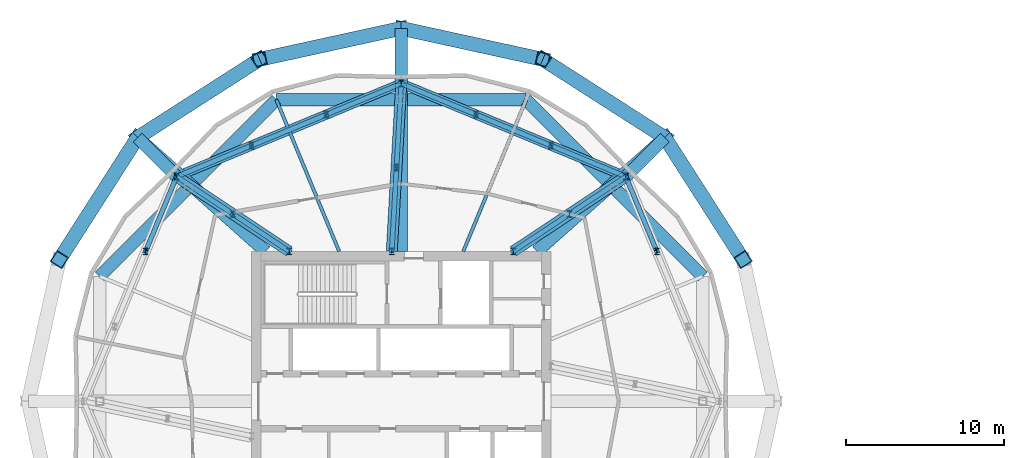
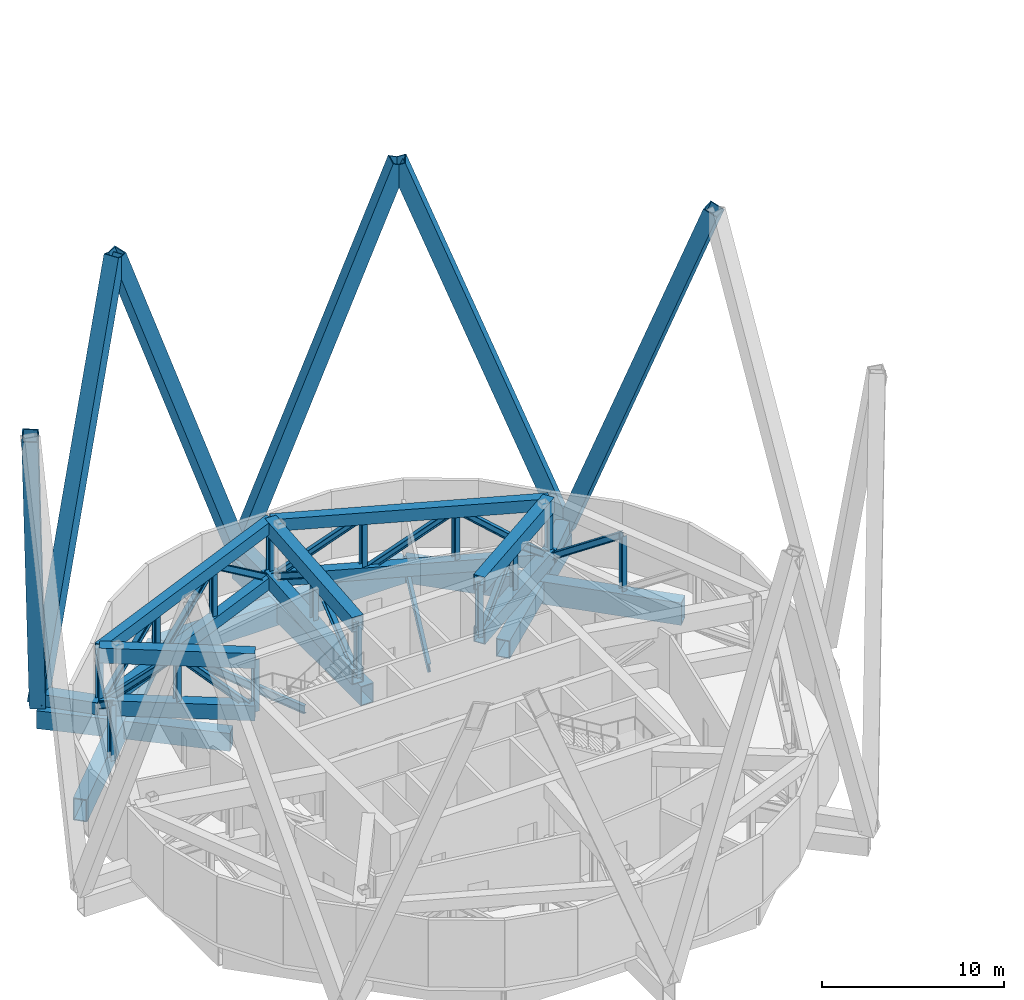
# One storey, part 6 of 19: 45 members, 11 beams.
"""IFC4 building model written with IfcOpenShell, lengths in metres."""

from ifc_helpers import new_model, si_unit, direction, frame, origin, origin_2d, place, context, subcontext, project, spatial, hollow_rectangle, i_section, extrude, material, material_profile, profile_set, type_object, element, save


model = new_model("IFC4")

# Units and contexts
model_context = context("Model", 3, precision=1e-05, world=origin(), true_north=direction((0.0, 1.0)))
body_context = subcontext(model_context, "Body", "Model", "MODEL_VIEW")
ifc_project = project(units=[si_unit("LENGTHUNIT", "METRE"), si_unit("AREAUNIT", "SQUARE_METRE"), si_unit("VOLUMEUNIT", "CUBIC_METRE"), si_unit("PLANEANGLEUNIT", "RADIAN"), si_unit("MASSUNIT", "GRAM", prefix="KILO")], contexts=[model_context])

# Site, building, storey
site_placement = place(None, origin())
site = spatial("IfcSite", under=ifc_project, at=site_placement, CompositionType="ELEMENT")
building_placement = place(site_placement, origin())
building = spatial("IfcBuilding", under=site, at=building_placement, Name="Ogive Gate Towers", CompositionType="ELEMENT")
storey_placement = place(building_placement, frame((0.0, 0.0, 216.300048828125)))
storey = spatial("IfcBuildingStorey", under=building, at=storey_placement, Name="L52", CompositionType="ELEMENT", Elevation=216.300048828125)

# Members
ifc_material_1 = material(Name="Steel SM460", Category="steel")
ifc_material_profile_1 = material_profile(ifc_material_1, hollow_rectangle(XDim=0.89990234375, YDim=0.89990234375, WallThickness=0.06005859375, at=origin_2d()), Name="BX 900x900x60")
ifc_profile_set_1 = profile_set([ifc_material_profile_1], Name="Steel SM460")
member_type_1 = type_object("IfcMemberType", Name="Diagrid diagonal BX 900x900x60", PredefinedType="BRACE", material=ifc_profile_set_1)
for number, where, z_axis, x_axis, name in (
    (1, (-19.283935546875, 16.716064453125, 0.0), (0.190849196279, -0.297855932112, 0.935338670207), (0.841987125326, 0.539497618887, 0.0), "T1/L52/SDG003"),
    (2, (-19.283935546875, 16.716064453125, 0.0), (-0.297855932112, 0.190849196279, 0.935338670207), (-0.539497618887, -0.841987125326, 0.0), "T1/L52/SDG004"),
    (3, (-36.0, 23.639892578125, 0.0), (0.345566183474, -0.075657502601, 0.935339486571), (0.21387195941, 0.976861702074, 0.0), "T1/L52/SDG005"),
    (4, (-36.0, 23.639892578125, 0.0), (-0.345566183474, -0.075657502601, 0.935339486571), (0.21387195941, -0.976861702074, 0.0), "T1/L52/SDG006"),
    (5, (-52.716064453125, 16.716064453125, 0.0), (0.297855932112, 0.190849196279, 0.935338670207), (-0.539497618887, 0.841987125326, 0.0), "T1/L52/SDG007"),
    (6, (-52.716064453125, 16.716064453125, 0.0), (-0.190849196279, -0.297855932112, 0.935338670207), (0.841987125326, -0.539497618887, 0.0), "T1/L52/SDG008"),
):
    element("IfcMember", number, at=place(storey_placement, frame(where, z_axis=z_axis, x_axis=x_axis)), inside=storey, type_object=member_type_1, Name=name, PredefinedType="BRACE", context=body_context, shape_type="SweptSolid", body=[
        extrude(hollow_rectangle(XDim=0.89990234375, YDim=0.89990234375, WallThickness=0.06005859375, at=origin_2d()), origin(), (0.0, 0.0, 1.0), 25.97998046875),
    ])

# Beams
ifc_material_profile_2 = material_profile(ifc_material_1, hollow_rectangle(XDim=0.800048828125, YDim=1.5, WallThickness=0.06005859375, at=origin_2d()), Name="BX 1500x800x60")
ifc_profile_set_2 = profile_set([ifc_material_profile_2], Name="Steel SM460")
beam_type_1 = type_object("IfcBeamType", Name="Edge girder BX 1500x800x60", PredefinedType="BEAM", material=ifc_profile_set_2)
beam_1_placement = place(storey_placement, frame((-16.885009765625, 7.917724609375, -1.050048828125), z_axis=(-0.707106781187, 0.707106781187, 0.0), x_axis=(-0.707106781187, -0.707106781187, 0.0)))
element("IfcBeam", 7, at=beam_1_placement, inside=storey, type_object=beam_type_1, Name="T1/L52/SBM021", PredefinedType="BEAM", context=body_context, shape_type="SweptSolid", body=[
    extrude(hollow_rectangle(XDim=0.800048828125, YDim=1.5, WallThickness=0.06005859375, at=origin_2d()), origin(), (0.0, 0.0, 1.0), 15.835205078125),
])
beam_2_placement = place(storey_placement, frame((-28.082275390625, 19.114990234375, -1.050048828125), z_axis=(-1.0, 0.0, 0.0), x_axis=(0.0, -1.0, 0.0)))
element("IfcBeam", 8, at=beam_2_placement, inside=storey, type_object=beam_type_1, Name="T1/L52/SBM022", PredefinedType="BEAM", context=body_context, shape_type="SweptSolid", body=[
    extrude(hollow_rectangle(XDim=0.800048828125, YDim=1.5, WallThickness=0.06005859375, at=origin_2d()), origin(), (0.0, 0.0, 1.0), 15.83544921875),
])
beam_3_placement = place(storey_placement, frame((-43.917724609375, 19.114990234375, -1.050048828125), z_axis=(-0.707106781187, -0.707106781187, 0.0), x_axis=(0.707106781187, -0.707106781187, 0.0)))
element("IfcBeam", 9, at=beam_3_placement, inside=storey, type_object=beam_type_1, Name="T1/L52/SBM023", PredefinedType="BEAM", context=body_context, shape_type="SweptSolid", body=[
    extrude(hollow_rectangle(XDim=0.800048828125, YDim=1.5, WallThickness=0.06005859375, at=origin_2d()), origin(), (0.0, 0.0, 1.0), 15.835205078125),
])
ifc_material_profile_3 = material_profile(ifc_material_1, hollow_rectangle(XDim=0.800048828125, YDim=0.800048828125, WallThickness=0.050048828125, at=origin_2d()), Name="BX 800x800x50")
ifc_profile_set_3 = profile_set([ifc_material_profile_3], Name="Steel SM460")
beam_type_2 = type_object("IfcBeamType", Name="Node arm BX 800x800x50", PredefinedType="BEAM", material=ifc_profile_set_3)
for number, where, z_axis, x_axis, name in (
    (10, (-21.7587890625, 14.2412109375, 0.449951171875), (0.707106781187, 0.707106781187, 0.0), (-0.707106781187, 0.707106781187, 0.0), "T1/L52/SBM026"),
    (11, (-36.0, 20.139892578125, 0.449951171875), (0.0, 1.0, 0.0), (-1.0, 0.0, 0.0), "T1/L52/SBM027"),
    (12, (-50.2412109375, 14.2412109375, 0.449951171875), (-0.707106781187, 0.707106781187, 0.0), (-0.707106781187, -0.707106781187, 0.0), "T1/L52/SBM028"),
):
    element("IfcBeam", number, at=place(storey_placement, frame(where, z_axis=z_axis, x_axis=x_axis)), inside=storey, type_object=beam_type_2, Name=name, PredefinedType="BEAM", context=body_context, shape_type="SweptSolid", body=[
        extrude(hollow_rectangle(XDim=0.800048828125, YDim=0.800048828125, WallThickness=0.050048828125, at=origin_2d()), origin(), (0.0, 0.0, 1.0), 3.5),
    ])
ifc_material_2 = material(Name="Steel SM355", Category="steel")
ifc_material_profile_4 = material_profile(ifc_material_2, i_section(OverallWidth=0.2099609375, OverallDepth=0.550048828125, WebThickness=0.010986328125, FlangeThickness=0.01708984375, FilletRadius=0.02392578125, at=origin_2d()), Name="IPE 550")
ifc_profile_set_4 = profile_set([ifc_material_profile_4], Name="Steel SM355")
beam_type_3 = type_object("IfcBeamType", Name="Radial floor beam IPE 550", PredefinedType="BEAM", material=ifc_profile_set_4)
for number, where, z_axis, x_axis, name in (
    (13, (-32.06494140625, 9.5, -0.574951171875), (0.382683978464, 0.92387930631, 0.0), (-0.92387930631, 0.382683978464, 0.0), "T1/L52/SBM011"),
    (14, (-39.93505859375, 9.5, -0.574951171875), (-0.382683978464, 0.92387930631, 0.0), (-0.92387930631, -0.382683978464, 0.0), "T1/L52/SBM013"),
):
    element("IfcBeam", number, at=place(storey_placement, frame(where, z_axis=z_axis, x_axis=x_axis)), inside=storey, type_object=beam_type_3, Name=name, PredefinedType="BEAM", context=body_context, shape_type="SweptSolid", body=[
        extrude(i_section(OverallWidth=0.2099609375, OverallDepth=0.550048828125, WebThickness=0.010986328125, FlangeThickness=0.01708984375, FilletRadius=0.02392578125, at=origin_2d()), origin(), (0.0, 0.0, 1.0), 10.4072265625),
    ])
ifc_material_profile_5 = material_profile(ifc_material_1, hollow_rectangle(XDim=0.800048828125, YDim=1.199951171875, WallThickness=0.050048828125, at=origin_2d()), Name="BX 1200x800x50")
ifc_profile_set_5 = profile_set([ifc_material_profile_5], Name="Steel SM460")
beam_type_4 = type_object("IfcBeamType", Name="Transfer radial beam BX 1200x800x50", PredefinedType="BEAM", material=ifc_profile_set_5)
for number, where, z_axis, x_axis, name in (
    (15, (-27.39990234375, 9.5, -0.900146484375), (0.747323731033, 0.664460112449, 0.0), (-0.664460112449, 0.747323731033, 0.0), "T1/L52/SBM010"),
    (16, (-44.60009765625, 9.5, -0.900146484375), (-0.747323731033, 0.664460112449, 0.0), (-0.664460112449, -0.747323731033, 0.0), "T1/L52/SBM014"),
):
    element("IfcBeam", number, at=place(storey_placement, frame(where, z_axis=z_axis, x_axis=x_axis)), inside=storey, type_object=beam_type_4, Name=name, PredefinedType="BEAM", context=body_context, shape_type="SweptSolid", body=[
        extrude(hollow_rectangle(XDim=0.800048828125, YDim=1.199951171875, WallThickness=0.050048828125, at=origin_2d()), origin(), (0.0, 0.0, 1.0), 10.860107421875),
    ])
ifc_material_profile_6 = material_profile(ifc_material_1, hollow_rectangle(XDim=0.800048828125, YDim=1.300048828125, WallThickness=0.050048828125, at=origin_2d()), Name="BX 1300x800x50")
ifc_profile_set_6 = profile_set([ifc_material_profile_6], Name="Steel SM460")
beam_type_5 = type_object("IfcBeamType", Name="Transfer radial beam BX 1300x800x50", PredefinedType="BEAM", material=ifc_profile_set_6)
beam_4_placement = place(storey_placement, frame((-36.0, 9.5, -0.949951171875), z_axis=(0.0, 1.0, 0.0), x_axis=(-1.0, 0.0, 0.0)))
element("IfcBeam", 17, at=beam_4_placement, inside=storey, type_object=beam_type_5, Name="T1/L52/SBM012", PredefinedType="BEAM", context=body_context, shape_type="SweptSolid", body=[
    extrude(hollow_rectangle(XDim=0.800048828125, YDim=1.300048828125, WallThickness=0.050048828125, at=origin_2d()), origin(), (0.0, 0.0, 1.0), 14.139892578125),
])

# Members
ifc_material_profile_7 = material_profile(ifc_material_1, hollow_rectangle(XDim=0.699951171875, YDim=1.0, WallThickness=0.050048828125, at=origin_2d()), Name="BX 1000x700x50")
ifc_profile_set_7 = profile_set([ifc_material_profile_7], Name="Steel SM460")
member_type_2 = type_object("IfcMemberType", Name="Truss chord BX 1000x700x50", PredefinedType="CHORD", material=ifc_profile_set_7)
for number, where, z_axis, x_axis, name in (
    (18, (-28.89990234375, 9.5, 0.5), (0.833100444522, 0.55312173103, 0.0), (-0.55312173103, 0.833100444522, 0.0), "T1/L52/STR024"),
    (19, (-28.89990234375, 9.5, 4.0), (0.833100444522, 0.55312173103, 0.0), (-0.55312173103, 0.833100444522, 0.0), "T1/L52/STR025"),
):
    element("IfcMember", number, at=place(storey_placement, frame(where, z_axis=z_axis, x_axis=x_axis)), inside=storey, type_object=member_type_2, Name=name, PredefinedType="CHORD", context=body_context, shape_type="SweptSolid", body=[
        extrude(hollow_rectangle(XDim=0.699951171875, YDim=1.0, WallThickness=0.050048828125, at=origin_2d()), origin(), (0.0, 0.0, 1.0), 8.57177734375),
    ])
for number, where, z_axis, x_axis, name in (
    (20, (-36.60009765625, 9.5, 0.5), (0.056311232009, 0.998413263709, 0.0), (-0.998413263709, 0.056311232009, 0.0), "T1/L52/STR038"),
    (21, (-36.60009765625, 9.5, 4.0), (0.056311232009, 0.998413263709, 0.0), (-0.998413263709, 0.056311232009, 0.0), "T1/L52/STR039"),
):
    element("IfcMember", number, at=place(storey_placement, frame(where, z_axis=z_axis, x_axis=x_axis)), inside=storey, type_object=member_type_2, Name=name, PredefinedType="CHORD", context=body_context, shape_type="SweptSolid", body=[
        extrude(hollow_rectangle(XDim=0.699951171875, YDim=1.0, WallThickness=0.050048828125, at=origin_2d()), origin(), (0.0, 0.0, 1.0), 10.65673828125),
    ])
for number, where, z_axis, x_axis, name in (
    (22, (-43.10009765625, 9.5, 0.5), (-0.833100444522, 0.55312173103, 0.0), (-0.55312173103, -0.833100444522, 0.0), "T1/L52/STR052"),
    (23, (-43.10009765625, 9.5, 4.0), (-0.833100444522, 0.55312173103, 0.0), (-0.55312173103, -0.833100444522, 0.0), "T1/L52/STR053"),
):
    element("IfcMember", number, at=place(storey_placement, frame(where, z_axis=z_axis, x_axis=x_axis)), inside=storey, type_object=member_type_2, Name=name, PredefinedType="CHORD", context=body_context, shape_type="SweptSolid", body=[
        extrude(hollow_rectangle(XDim=0.699951171875, YDim=1.0, WallThickness=0.050048828125, at=origin_2d()), origin(), (0.0, 0.0, 1.0), 8.57177734375),
    ])
ifc_material_profile_8 = material_profile(ifc_material_1, hollow_rectangle(XDim=0.60009765625, YDim=0.800048828125, WallThickness=0.0400390625, at=origin_2d()), Name="BX 800x600x40")
ifc_profile_set_8 = profile_set([ifc_material_profile_8], Name="Steel SM460")
member_type_3 = type_object("IfcMemberType", Name="Truss chord BX 800x600x40", PredefinedType="CHORD", material=ifc_profile_set_8)
for number, where, z_axis, x_axis, name in (
    (24, (-21.7587890625, 14.2412109375, 0.39990234375), (-0.923884603085, 0.382671190687, 0.0), (-0.382671190687, -0.923884603085, 0.0), "T1/L52/STR016"),
    (25, (-21.7587890625, 14.2412109375, 4.099853515625), (-0.923884603085, 0.382671190687, 0.0), (-0.382671190687, -0.923884603085, 0.0), "T1/L52/STR017"),
    (26, (-36.0, 20.139892578125, 0.39990234375), (-0.923884603085, -0.382671190687, 0.0), (0.382671190687, -0.923884603085, 0.0), "T1/L52/STR030"),
    (27, (-36.0, 20.139892578125, 4.099853515625), (-0.923884603085, -0.382671190687, 0.0), (0.382671190687, -0.923884603085, 0.0), "T1/L52/STR031"),
):
    element("IfcMember", number, at=place(storey_placement, frame(where, z_axis=z_axis, x_axis=x_axis)), inside=storey, type_object=member_type_3, Name=name, PredefinedType="CHORD", context=body_context, shape_type="SweptSolid", body=[
        extrude(hollow_rectangle(XDim=0.60009765625, YDim=0.800048828125, WallThickness=0.0400390625, at=origin_2d()), origin(), (0.0, 0.0, 1.0), 15.41455078125),
    ])
ifc_material_profile_9 = material_profile(ifc_material_1, i_section(OverallWidth=0.300048828125, OverallDepth=0.39990234375, WebThickness=0.013427734375, FlangeThickness=0.02392578125, FilletRadius=0.027099609375, at=origin_2d()), Name="HE 400 B")
ifc_profile_set_9 = profile_set([ifc_material_profile_9], Name="Steel SM460")
member_type_4 = type_object("IfcMemberType", Name="Truss diagonal HE 400 B", PredefinedType="BRACE", material=ifc_profile_set_9)
for number, where, z_axis, x_axis, name in (
    (28, (-19.79248046875, 9.494140625, 4.099853515625), (-0.310548860821, 0.74972833993, -0.58435162475), (-0.923879003455, -0.382684709619, 0.0), "T1/L52/STR005"),
    (29, (-21.7587890625, 14.2412109375, 0.39990234375), (-0.74972833993, 0.310548860821, 0.58435162475), (-0.382684709619, -0.923879003455, 0.0), "T1/L52/STR018"),
    (30, (-26.505859375, 16.20751953125, 4.099853515625), (-0.74972833993, 0.310548860821, -0.58435162475), (-0.382684709619, -0.923879003455, 0.0), "T1/L52/STR019"),
):
    element("IfcMember", number, at=place(storey_placement, frame(where, z_axis=z_axis, x_axis=x_axis)), inside=storey, type_object=member_type_4, Name=name, PredefinedType="BRACE", context=body_context, shape_type="SweptSolid", body=[
        extrude(i_section(OverallWidth=0.300048828125, OverallDepth=0.39990234375, WebThickness=0.013427734375, FlangeThickness=0.02392578125, FilletRadius=0.027099609375, at=origin_2d()), origin(), (0.0, 0.0, 1.0), 6.331787109375),
    ])
member_1_placement = place(storey_placement, frame((-31.2529296875, 18.173828125, 4.099853515625), z_axis=(-0.749737316967, 0.310514020445, -0.584358621613), x_axis=(-0.382644152086, -0.923895801957, 0.0)))
element("IfcMember", 31, at=member_1_placement, inside=storey, type_object=member_type_4, Name="T1/L52/STR020", PredefinedType="BRACE", context=body_context, shape_type="SweptSolid", body=[
    extrude(i_section(OverallWidth=0.300048828125, OverallDepth=0.39990234375, WebThickness=0.013427734375, FlangeThickness=0.02392578125, FilletRadius=0.027099609375, at=origin_2d()), origin(), (0.0, 0.0, 1.0), 6.33154296875),
])
for number, where, z_axis, x_axis, name in (
    (32, (-28.89990234375, 9.5, 0.5), (0.645272182139, 0.428416607766, 0.632521162609), (-0.55312173103, 0.833100444522, 0.0), "T1/L52/STR026"),
    (33, (-25.329345703125, 11.87060546875, 4.0), (0.645272182139, 0.428416607766, -0.632521162609), (-0.55312173103, 0.833100444522, 0.0), "T1/L52/STR027"),
):
    element("IfcMember", number, at=place(storey_placement, frame(where, z_axis=z_axis, x_axis=x_axis)), inside=storey, type_object=member_type_4, Name=name, PredefinedType="BRACE", context=body_context, shape_type="SweptSolid", body=[
        extrude(i_section(OverallWidth=0.300048828125, OverallDepth=0.39990234375, WebThickness=0.013427734375, FlangeThickness=0.02392578125, FilletRadius=0.027099609375, at=origin_2d()), origin(), (0.0, 0.0, 1.0), 5.533447265625),
    ])
member_2_placement = place(storey_placement, frame((-36.0, 20.139892578125, 0.39990234375), z_axis=(-0.749737316967, -0.310514020445, 0.584358621613), x_axis=(0.382644152086, -0.923895801957, 0.0)))
element("IfcMember", 34, at=member_2_placement, inside=storey, type_object=member_type_4, Name="T1/L52/STR032", PredefinedType="BRACE", context=body_context, shape_type="SweptSolid", body=[
    extrude(i_section(OverallWidth=0.300048828125, OverallDepth=0.39990234375, WebThickness=0.013427734375, FlangeThickness=0.02392578125, FilletRadius=0.027099609375, at=origin_2d()), origin(), (0.0, 0.0, 1.0), 6.33154296875),
])
for number, where, z_axis, x_axis, name in (
    (35, (-40.7470703125, 18.173828125, 4.099853515625), (-0.74972833993, -0.310548860821, -0.58435162475), (0.382684709619, -0.923879003455, 0.0), "T1/L52/STR033"),
    (36, (-45.494140625, 16.20751953125, 4.099853515625), (-0.74972833993, -0.310548860821, -0.58435162475), (0.382684709619, -0.923879003455, 0.0), "T1/L52/STR034"),
):
    element("IfcMember", number, at=place(storey_placement, frame(where, z_axis=z_axis, x_axis=x_axis)), inside=storey, type_object=member_type_4, Name=name, PredefinedType="BRACE", context=body_context, shape_type="SweptSolid", body=[
        extrude(i_section(OverallWidth=0.300048828125, OverallDepth=0.39990234375, WebThickness=0.013427734375, FlangeThickness=0.02392578125, FilletRadius=0.027099609375, at=origin_2d()), origin(), (0.0, 0.0, 1.0), 6.331787109375),
    ])
member_3_placement = place(storey_placement, frame((-36.60009765625, 9.5, 0.5), z_axis=(0.047065016943, 0.834494535564, 0.549002508459), x_axis=(-0.998413336351, 0.056309944031, 0.0)))
element("IfcMember", 37, at=member_3_placement, inside=storey, type_object=member_type_4, Name="T1/L52/STR040", PredefinedType="BRACE", context=body_context, shape_type="SweptSolid", body=[
    extrude(i_section(OverallWidth=0.300048828125, OverallDepth=0.39990234375, WebThickness=0.013427734375, FlangeThickness=0.02392578125, FilletRadius=0.027099609375, at=origin_2d()), origin(), (0.0, 0.0, 1.0), 6.375244140625),
])
member_4_placement = place(storey_placement, frame((-36.300048828125, 14.820068359375, 4.0), z_axis=(0.047066521051, 0.834482907807, -0.549020053526), x_axis=(-0.998413191062, 0.056312520047, 0.0)))
element("IfcMember", 38, at=member_4_placement, inside=storey, type_object=member_type_4, Name="T1/L52/STR041", PredefinedType="BRACE", context=body_context, shape_type="SweptSolid", body=[
    extrude(i_section(OverallWidth=0.300048828125, OverallDepth=0.39990234375, WebThickness=0.013427734375, FlangeThickness=0.02392578125, FilletRadius=0.027099609375, at=origin_2d()), origin(), (0.0, 0.0, 1.0), 6.375),
])
member_5_placement = place(storey_placement, frame((-50.2412109375, 14.2412109375, 0.39990234375), z_axis=(-0.310548860821, -0.74972833993, 0.58435162475), x_axis=(0.923879003455, -0.382684709619, 0.0)))
element("IfcMember", 39, at=member_5_placement, inside=storey, type_object=member_type_4, Name="T1/L52/STR046", PredefinedType="BRACE", context=body_context, shape_type="SweptSolid", body=[
    extrude(i_section(OverallWidth=0.300048828125, OverallDepth=0.39990234375, WebThickness=0.013427734375, FlangeThickness=0.02392578125, FilletRadius=0.027099609375, at=origin_2d()), origin(), (0.0, 0.0, 1.0), 6.331787109375),
])
for number, where, z_axis, x_axis, name in (
    (40, (-43.10009765625, 9.5, 0.5), (-0.645272182139, 0.428416607766, 0.632521162609), (-0.55312173103, -0.833100444522, 0.0), "T1/L52/STR054"),
    (41, (-46.670654296875, 11.87060546875, 4.0), (-0.645272182139, 0.428416607766, -0.632521162609), (-0.55312173103, -0.833100444522, 0.0), "T1/L52/STR055"),
):
    element("IfcMember", number, at=place(storey_placement, frame(where, z_axis=z_axis, x_axis=x_axis)), inside=storey, type_object=member_type_4, Name=name, PredefinedType="BRACE", context=body_context, shape_type="SweptSolid", body=[
        extrude(i_section(OverallWidth=0.300048828125, OverallDepth=0.39990234375, WebThickness=0.013427734375, FlangeThickness=0.02392578125, FilletRadius=0.027099609375, at=origin_2d()), origin(), (0.0, 0.0, 1.0), 5.533447265625),
    ])
ifc_material_profile_10 = material_profile(ifc_material_1, i_section(OverallWidth=0.300048828125, OverallDepth=0.39990234375, WebThickness=0.013427734375, FlangeThickness=0.02392578125, FilletRadius=0.027099609375, at=origin_2d()), Name="HE 400 B")
ifc_profile_set_10 = profile_set([ifc_material_profile_10], Name="Steel SM460")
member_type_5 = type_object("IfcMemberType", Name="Truss post HE 400 B", PredefinedType="POST", material=ifc_profile_set_10)
for number, where, z_axis, x_axis, name in (
    (42, (-19.79248046875, 9.494140625, 0.39990234375), (0.0, 0.0, 1.0), (1.0, 0.0, 0.0), "T1/L52/STR008"),
    (43, (-21.7587890625, 14.2412109375, 0.39990234375), (0.0, 0.0, 1.0), (1.0, 0.0, 0.0), "T1/L52/STR009"),
    (44, (-26.505859375, 16.20751953125, 0.39990234375), (0.0, 0.0, 1.0), (1.0, 0.0, 0.0), "T1/L52/STR021"),
    (45, (-31.2529296875, 18.173828125, 0.39990234375), (0.0, 0.0, 1.0), (1.0, 0.0, 0.0), "T1/L52/STR022"),
    (46, (-36.0, 20.139892578125, 0.39990234375), (0.0, 0.0, 1.0), (1.0, 0.0, 0.0), "T1/L52/STR023"),
):
    element("IfcMember", number, at=place(storey_placement, frame(where, z_axis=z_axis, x_axis=x_axis)), inside=storey, type_object=member_type_5, Name=name, PredefinedType="POST", context=body_context, shape_type="SweptSolid", body=[
        extrude(i_section(OverallWidth=0.300048828125, OverallDepth=0.39990234375, WebThickness=0.013427734375, FlangeThickness=0.02392578125, FilletRadius=0.027099609375, at=origin_2d()), origin(), (0.0, 0.0, 1.0), 3.699951171875),
    ])
for number, where, z_axis, x_axis, name in (
    (47, (-28.89990234375, 9.5, 0.5), (0.0, 0.0, 1.0), (1.0, 0.0, 0.0), "T1/L52/STR028"),
    (48, (-25.329345703125, 11.87060546875, 0.5), (0.0, 0.0, 1.0), (1.0, 0.0, 0.0), "T1/L52/STR029"),
):
    element("IfcMember", number, at=place(storey_placement, frame(where, z_axis=z_axis, x_axis=x_axis)), inside=storey, type_object=member_type_5, Name=name, PredefinedType="POST", context=body_context, shape_type="SweptSolid", body=[
        extrude(i_section(OverallWidth=0.300048828125, OverallDepth=0.39990234375, WebThickness=0.013427734375, FlangeThickness=0.02392578125, FilletRadius=0.027099609375, at=origin_2d()), origin(), (0.0, 0.0, 1.0), 3.5),
    ])
for number, where, z_axis, x_axis, name in (
    (49, (-40.7470703125, 18.173828125, 0.39990234375), (0.0, 0.0, 1.0), (1.0, 0.0, 0.0), "T1/L52/STR035"),
    (50, (-45.494140625, 16.20751953125, 0.39990234375), (0.0, 0.0, 1.0), (1.0, 0.0, 0.0), "T1/L52/STR036"),
    (51, (-50.2412109375, 14.2412109375, 0.39990234375), (0.0, 0.0, 1.0), (1.0, 0.0, 0.0), "T1/L52/STR037"),
):
    element("IfcMember", number, at=place(storey_placement, frame(where, z_axis=z_axis, x_axis=x_axis)), inside=storey, type_object=member_type_5, Name=name, PredefinedType="POST", context=body_context, shape_type="SweptSolid", body=[
        extrude(i_section(OverallWidth=0.300048828125, OverallDepth=0.39990234375, WebThickness=0.013427734375, FlangeThickness=0.02392578125, FilletRadius=0.027099609375, at=origin_2d()), origin(), (0.0, 0.0, 1.0), 3.699951171875),
    ])
for number, where, z_axis, x_axis, name in (
    (52, (-36.60009765625, 9.5, 0.5), (0.0, 0.0, 1.0), (1.0, 0.0, 0.0), "T1/L52/STR042"),
    (53, (-36.300048828125, 14.820068359375, 0.5), (0.0, 0.0, 1.0), (1.0, 0.0, 0.0), "T1/L52/STR043"),
):
    element("IfcMember", number, at=place(storey_placement, frame(where, z_axis=z_axis, x_axis=x_axis)), inside=storey, type_object=member_type_5, Name=name, PredefinedType="POST", context=body_context, shape_type="SweptSolid", body=[
        extrude(i_section(OverallWidth=0.300048828125, OverallDepth=0.39990234375, WebThickness=0.013427734375, FlangeThickness=0.02392578125, FilletRadius=0.027099609375, at=origin_2d()), origin(), (0.0, 0.0, 1.0), 3.5),
    ])
member_6_placement = place(storey_placement, frame((-52.20751953125, 9.494140625, 0.39990234375), z_axis=(0.0, 0.0, 1.0), x_axis=(1.0, 0.0, 0.0)))
element("IfcMember", 54, at=member_6_placement, inside=storey, type_object=member_type_5, Name="T1/L52/STR049", PredefinedType="POST", context=body_context, shape_type="SweptSolid", body=[
    extrude(i_section(OverallWidth=0.300048828125, OverallDepth=0.39990234375, WebThickness=0.013427734375, FlangeThickness=0.02392578125, FilletRadius=0.027099609375, at=origin_2d()), origin(), (0.0, 0.0, 1.0), 3.699951171875),
])
for number, where, z_axis, x_axis, name in (
    (55, (-43.10009765625, 9.5, 0.5), (0.0, 0.0, 1.0), (1.0, 0.0, 0.0), "T1/L52/STR056"),
    (56, (-46.670654296875, 11.87060546875, 0.5), (0.0, 0.0, 1.0), (1.0, 0.0, 0.0), "T1/L52/STR057"),
):
    element("IfcMember", number, at=place(storey_placement, frame(where, z_axis=z_axis, x_axis=x_axis)), inside=storey, type_object=member_type_5, Name=name, PredefinedType="POST", context=body_context, shape_type="SweptSolid", body=[
        extrude(i_section(OverallWidth=0.300048828125, OverallDepth=0.39990234375, WebThickness=0.013427734375, FlangeThickness=0.02392578125, FilletRadius=0.027099609375, at=origin_2d()), origin(), (0.0, 0.0, 1.0), 3.5),
    ])

save(model, "model.ifc")
